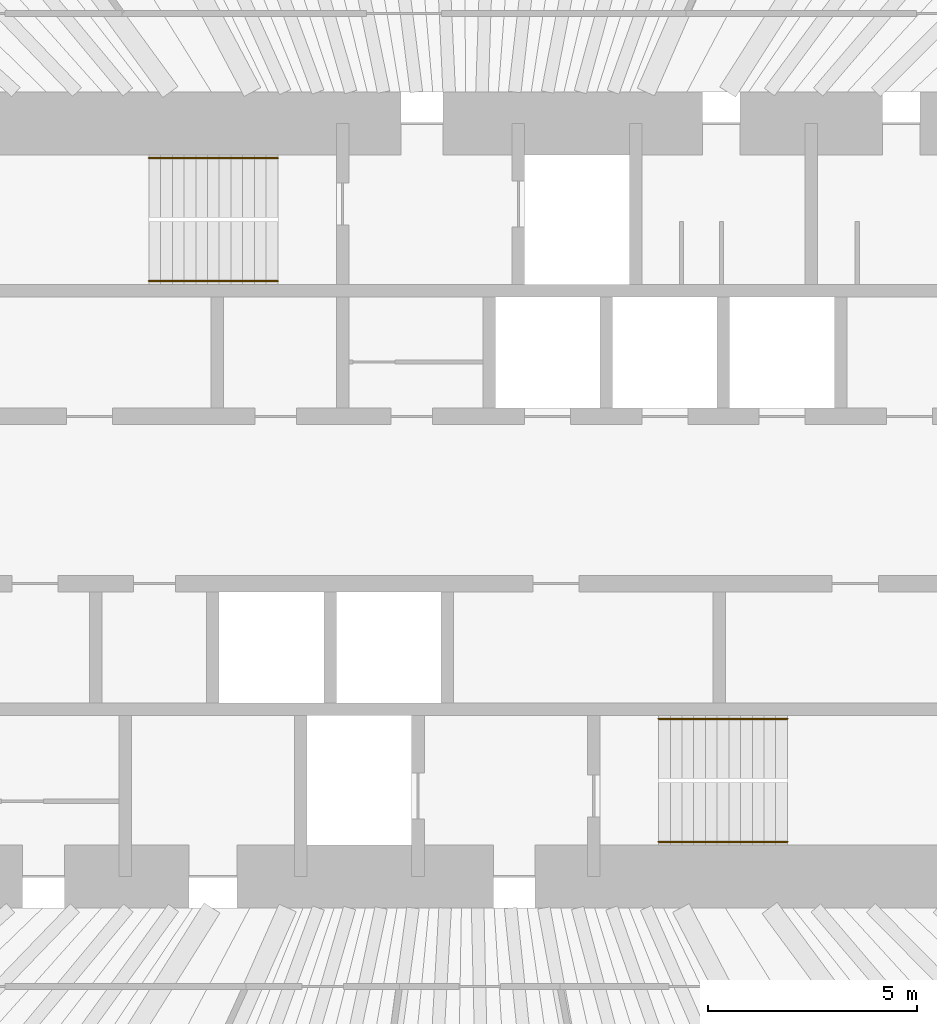
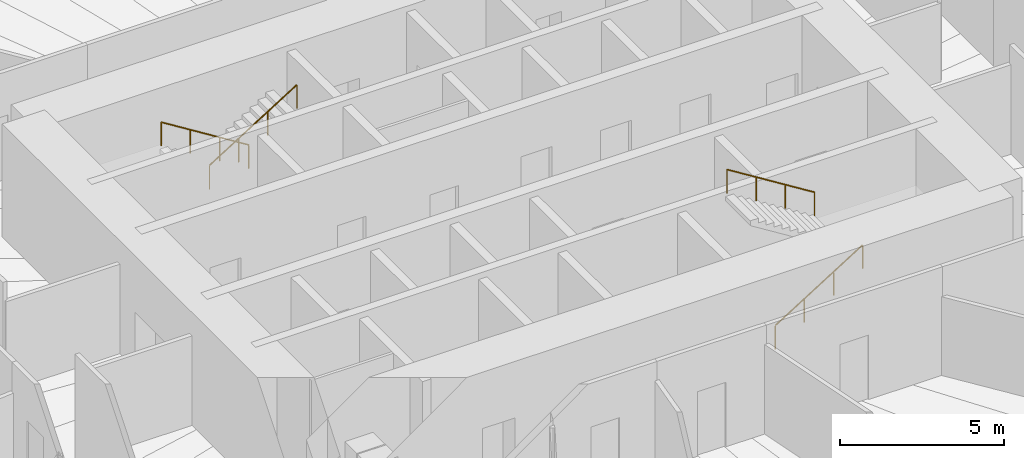
# One storey, part 13 of 13: 4 railings.
"""IFC4 building model written with IfcOpenShell, lengths in metres."""

from ifc_helpers import new_model, si_unit, direction, frame, origin, origin_2d, place, context, subcontext, project, spatial, circle, extrude, material, type_object, element, save


model = new_model("IFC4")

# Units and contexts
model_context = context("Model", 3, precision=1e-05, world=origin(), true_north=direction((0.0, 1.0)))
body_context = subcontext(model_context, "Body", "Model", "MODEL_VIEW")
ifc_project = project(units=[si_unit("LENGTHUNIT", "METRE"), si_unit("AREAUNIT", "SQUARE_METRE"), si_unit("VOLUMEUNIT", "CUBIC_METRE"), si_unit("PLANEANGLEUNIT", "RADIAN"), si_unit("MASSUNIT", "GRAM", prefix="KILO")], contexts=[model_context])

# Site, building, storey
site_placement = place(None, origin())
site = spatial("IfcSite", under=ifc_project, at=site_placement, CompositionType="ELEMENT")
building_placement = place(site_placement, origin())
building = spatial("IfcBuilding", under=site, at=building_placement, Name="Qingtian Harvest Tower", CompositionType="ELEMENT")
storey_placement = place(building_placement, frame((0.0, 0.0, 115.60009765625)))
storey = spatial("IfcBuildingStorey", under=building, at=storey_placement, Name="L23", CompositionType="ELEMENT", Elevation=115.60009765625)

# Railings
ifc_material = material(Name="Stainless steel handrail", Category="steel")
railing_type = type_object("IfcRailingType", Name="Handrail HR1", PredefinedType="HANDRAIL", material=ifc_material)
railing_1_placement = place(storey_placement, frame((-4.550048828125, 8.169921875, 0.1748046875)))
element("IfcRailing", 1, at=railing_1_placement, inside=storey, type_object=railing_type, Name="Handrail HR1 S1 flight 1", PredefinedType="HANDRAIL", context=body_context, shape_type="SweptSolid", body=[
    extrude(circle(Radius=0.02392578125, at=origin_2d()), frame((0.0, 0.0, 0.8759765625), z_axis=(-0.847979421464, 0.0, 0.530029150871), x_axis=(0.0, -1.0, 0.0)), (0.0, 0.0, 1.0), 3.632080078125),
    extrude(circle(Radius=0.02099609375, at=origin_2d()), origin(), (0.0, 0.0, 1.0), 0.851806640625),
    extrude(circle(Radius=0.02099609375, at=origin_2d()), frame((-1.026611328125, 0.0, 0.6416015625)), (0.0, 0.0, 1.0), 0.851806640625),
    extrude(circle(Radius=0.02099609375, at=origin_2d()), frame((-2.05322265625, 0.0, 1.283447265625)), (0.0, 0.0, 1.0), 0.851806640625),
    extrude(circle(Radius=0.02099609375, at=origin_2d()), frame((-3.079833984375, 0.0, 1.925048828125)), (0.0, 0.0, 1.0), 0.851806640625),
])
for number, where, name in (
    (2, (-7.6298828125, 5.22998046875, 2.27490234375), "Handrail HR1 S1 flight 2"),
    (3, (4.550048828125, -8.169921875, 0.1748046875), "Handrail HR1 S2 flight 1"),
):
    element("IfcRailing", number, at=place(storey_placement, frame(where)), inside=storey, type_object=railing_type, Name=name, PredefinedType="HANDRAIL", context=body_context, shape_type="SweptSolid", body=[
        extrude(circle(Radius=0.02392578125, at=origin_2d()), frame((0.0, 0.0, 0.8759765625), z_axis=(0.847979421464, 0.0, 0.530029150871), x_axis=(0.0, 1.0, 0.0)), (0.0, 0.0, 1.0), 3.632080078125),
        extrude(circle(Radius=0.02099609375, at=origin_2d()), origin(), (0.0, 0.0, 1.0), 0.851806640625),
        extrude(circle(Radius=0.02099609375, at=origin_2d()), frame((1.026611328125, 0.0, 0.6416015625)), (0.0, 0.0, 1.0), 0.851806640625),
        extrude(circle(Radius=0.02099609375, at=origin_2d()), frame((2.05322265625, 0.0, 1.283447265625)), (0.0, 0.0, 1.0), 0.851806640625),
        extrude(circle(Radius=0.02099609375, at=origin_2d()), frame((3.079833984375, 0.0, 1.925048828125)), (0.0, 0.0, 1.0), 0.851806640625),
    ])
railing_2_placement = place(storey_placement, frame((7.6298828125, -5.22998046875, 2.27490234375)))
element("IfcRailing", 4, at=railing_2_placement, inside=storey, type_object=railing_type, Name="Handrail HR1 S2 flight 2", PredefinedType="HANDRAIL", context=body_context, shape_type="SweptSolid", body=[
    extrude(circle(Radius=0.02392578125, at=origin_2d()), frame((0.0, 0.0, 0.8759765625), z_axis=(-0.847979421464, 0.0, 0.530029150871), x_axis=(0.0, -1.0, 0.0)), (0.0, 0.0, 1.0), 3.632080078125),
    extrude(circle(Radius=0.02099609375, at=origin_2d()), origin(), (0.0, 0.0, 1.0), 0.851806640625),
    extrude(circle(Radius=0.02099609375, at=origin_2d()), frame((-1.026611328125, 0.0, 0.6416015625)), (0.0, 0.0, 1.0), 0.851806640625),
    extrude(circle(Radius=0.02099609375, at=origin_2d()), frame((-2.05322265625, 0.0, 1.283447265625)), (0.0, 0.0, 1.0), 0.851806640625),
    extrude(circle(Radius=0.02099609375, at=origin_2d()), frame((-3.079833984375, 0.0, 1.925048828125)), (0.0, 0.0, 1.0), 0.851806640625),
])

save(model, "model.ifc")
